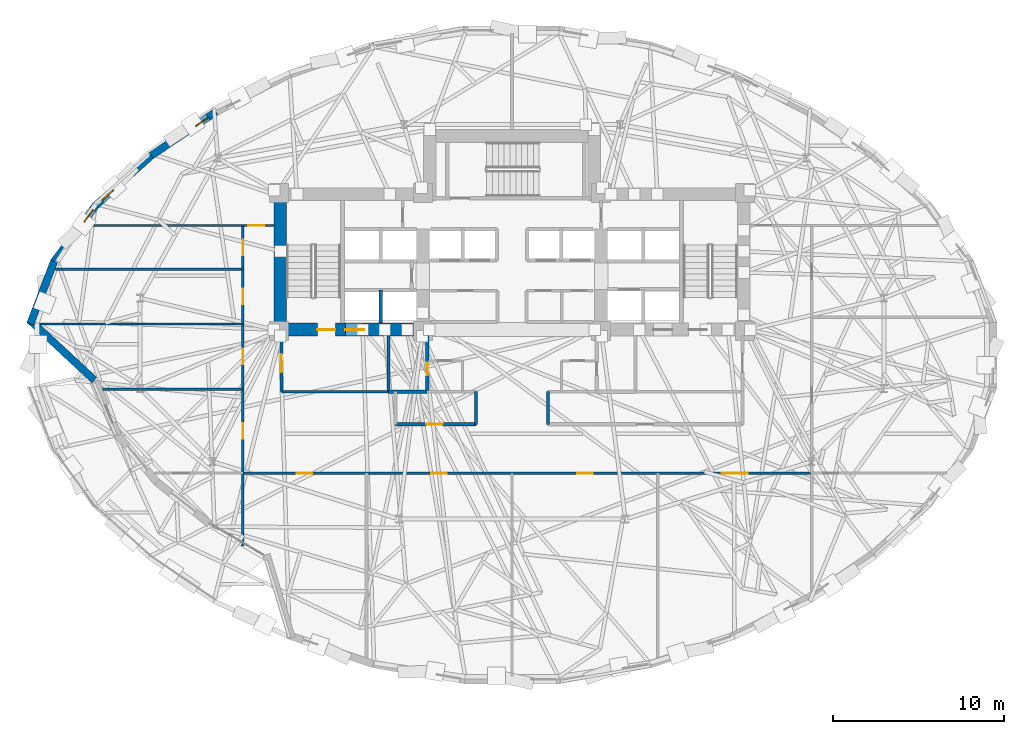
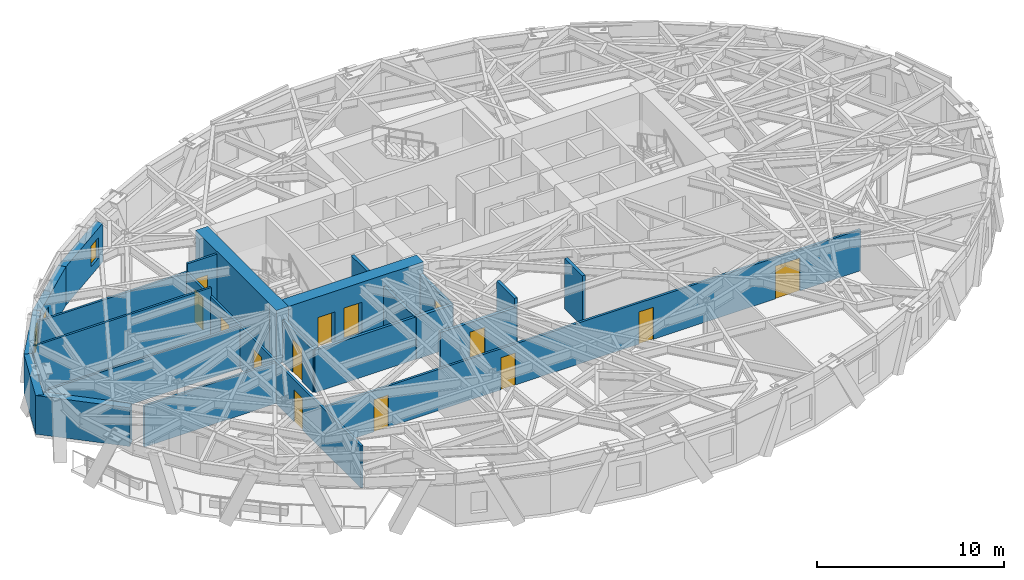
# One storey, part 9 of 17: 23 walls, 14 doors, 3 windows, 17 openings.
"""IFC4 building model written with IfcOpenShell, lengths in metres."""

from ifc_helpers import new_model, si_unit, direction, frame, frame_2d, origin, place, context, subcontext, project, spatial, rectangle, extrude, material, layer, layer_set, type_object, element, fill, save


model = new_model("IFC4")

# Units and contexts
model_context = context("Model", 3, precision=1e-05, world=origin(), true_north=direction((0.0, 1.0)))
body_context = subcontext(model_context, "Body", "Model", "MODEL_VIEW")
ifc_project = project(units=[si_unit("LENGTHUNIT", "METRE"), si_unit("AREAUNIT", "SQUARE_METRE"), si_unit("VOLUMEUNIT", "CUBIC_METRE"), si_unit("PLANEANGLEUNIT", "RADIAN"), si_unit("MASSUNIT", "GRAM", prefix="KILO")], contexts=[model_context])

# Site, building, storey
site_placement = place(None, origin())
site = spatial("IfcSite", under=ifc_project, at=site_placement, CompositionType="ELEMENT")
building_placement = place(site_placement, origin())
building = spatial("IfcBuilding", under=site, at=building_placement, Name="Keldmark Tower", CompositionType="ELEMENT")
storey_placement = place(building_placement, frame((0.0, 0.0, 96.60009765625)))
storey = spatial("IfcBuildingStorey", under=building, at=storey_placement, Name="L25", CompositionType="ELEMENT", Elevation=96.60009765625)

# Wall, openings, doors
ifc_material_1 = material(Name="Acoustic Double-Layer Gypsum Corridor Partition", Category="gypsum")
ifc_layer_1 = layer(ifc_material_1, 0.139892578125)
ifc_layer_set_1 = layer_set([ifc_layer_1], Name="Acoustic Double-Layer Gypsum Corridor Partition")
wall_type_1 = type_object("IfcWallType", Name="Acoustic Corridor Partition 140 mm", PredefinedType="PARTITIONING", material=ifc_layer_set_1)
wall_1_placement = place(storey_placement, frame((-15.699951171875, -6.89990234375, 0.0), z_axis=(0.0, 0.0, 1.0), x_axis=(1.0, 0.0, 0.0)))
wall_1 = element("IfcWall", 1, at=wall_1_placement, inside=storey, type_object=wall_type_1, Name="L25 Acoustic Corridor Partition 140 mm COR-S", PredefinedType="PARTITIONING", context=body_context, shape_type="SweptSolid", body=[
    extrude(rectangle(XDim=33.199951171875, YDim=0.139892578125, at=frame_2d((16.60009765625, 0.0))), origin(), (0.0, 0.0, 1.0), 2.68798828125),
])
opening_1_placement = place(wall_1_placement, frame((3.14990234375, 0.0, 0.0)))
opening_1 = element("IfcOpeningElement", 2, at=opening_1_placement, cuts=wall_1, Name="Opening D-IN090", PredefinedType="OPENING", context=body_context, shape_type="SweptSolid", body=[
    extrude(rectangle(XDim=0.89990234375, YDim=2.10009765625, at=frame_2d((0.449951171875, 1.050048828125))), frame((0.0, 0.079833984375, 0.0), z_axis=(0.0, -1.0, 0.0), x_axis=(1.0, 0.0, 0.0)), (0.0, 0.0, 1.0), 0.159912109375),
])
opening_2_placement = place(wall_1_placement, frame((11.0, 0.0, 0.0)))
opening_2 = element("IfcOpeningElement", 3, at=opening_2_placement, cuts=wall_1, Name="Opening D-IN090", PredefinedType="OPENING", context=body_context, shape_type="SweptSolid", body=[
    extrude(rectangle(XDim=0.89990234375, YDim=2.10009765625, at=frame_2d((0.449951171875, 1.050048828125))), frame((0.0, 0.079833984375, 0.0), z_axis=(0.0, -1.0, 0.0), x_axis=(1.0, 0.0, 0.0)), (0.0, 0.0, 1.0), 0.159912109375),
])
opening_3_placement = place(wall_1_placement, frame((19.5, 0.0, 0.0)))
opening_3 = element("IfcOpeningElement", 4, at=opening_3_placement, cuts=wall_1, Name="Opening D-IN090", PredefinedType="OPENING", context=body_context, shape_type="SweptSolid", body=[
    extrude(rectangle(XDim=0.89990234375, YDim=2.10009765625, at=frame_2d((0.449951171875, 1.050048828125))), frame((0.0, 0.079833984375, 0.0), z_axis=(0.0, -1.0, 0.0), x_axis=(1.0, 0.0, 0.0)), (0.0, 0.0, 1.0), 0.159912109375),
])
opening_4_placement = place(wall_1_placement, frame((27.949951171875, 0.0, 0.0)))
opening_4 = element("IfcOpeningElement", 5, at=opening_4_placement, cuts=wall_1, Name="Opening D-CF150", PredefinedType="OPENING", context=body_context, shape_type="SweptSolid", body=[
    extrude(rectangle(XDim=1.5, YDim=2.14990234375, at=frame_2d((0.75, 1.074951171875))), frame((0.0, 0.079833984375, 0.0), z_axis=(0.0, -1.0, 0.0), x_axis=(1.0, 0.0, 0.0)), (0.0, 0.0, 1.0), 0.159912109375),
])
ifc_material_2 = material(Name="Acoustic Timber and Tempered Glass Double Door", Category="wood")
door_type_1 = type_object("IfcDoorType", Name="Conference Double Door 1500x2150", OperationType="DOUBLE_DOOR_SINGLE_SWING", PredefinedType="DOOR", material=ifc_material_2)
door_1_placement = place(opening_4_placement, origin())
door_1 = element("IfcDoor", 6, at=door_1_placement, inside=storey, type_object=door_type_1, Name="L25 Conference Double Door 1500x2150 D-SR-4-L25", OperationType="DOUBLE_DOOR_SINGLE_SWING", OverallHeight=2.14990234375, OverallWidth=1.5, PredefinedType="DOOR", context=body_context, shape_type="SweptSolid", body=[
    extrude(rectangle(XDim=1.5, YDim=2.14990234375, at=frame_2d((0.75, 1.074951171875))), frame((0.0, 0.02490234375, 0.0), z_axis=(0.0, -1.0, 0.0), x_axis=(1.0, 0.0, 0.0)), (0.0, 0.0, 1.0), 0.050048828125),
])
fill(opening_4, door_1)
ifc_material_3 = material(Name="Stained American White Oak Veneer", Category="wood")
door_type_2 = type_object("IfcDoorType", Name="Interior Door 900x2100", OperationType="NOTDEFINED", PredefinedType="DOOR", material=ifc_material_3)
door_2_placement = place(opening_1_placement, origin())
door_2 = element("IfcDoor", 7, at=door_2_placement, inside=storey, type_object=door_type_2, Name="L25 Interior Door 900x2100 D-SR-1-L25", OperationType="SINGLE_SWING_LEFT", OverallHeight=2.10009765625, OverallWidth=0.89990234375, PredefinedType="DOOR", context=body_context, shape_type="SweptSolid", body=[
    extrude(rectangle(XDim=0.89990234375, YDim=2.10009765625, at=frame_2d((0.449951171875, 1.050048828125))), frame((0.0, 0.02490234375, 0.0), z_axis=(0.0, -1.0, 0.0), x_axis=(1.0, 0.0, 0.0)), (0.0, 0.0, 1.0), 0.050048828125),
])
fill(opening_1, door_2)
door_3_placement = place(opening_2_placement, origin())
door_3 = element("IfcDoor", 8, at=door_3_placement, inside=storey, type_object=door_type_2, Name="L25 Interior Door 900x2100 D-SR-2-L25", OperationType="SINGLE_SWING_RIGHT", OverallHeight=2.10009765625, OverallWidth=0.89990234375, PredefinedType="DOOR", context=body_context, shape_type="SweptSolid", body=[
    extrude(rectangle(XDim=0.89990234375, YDim=2.10009765625, at=frame_2d((0.449951171875, 1.050048828125))), frame((0.0, 0.02490234375, 0.0), z_axis=(0.0, -1.0, 0.0), x_axis=(1.0, 0.0, 0.0)), (0.0, 0.0, 1.0), 0.050048828125),
])
fill(opening_2, door_3)
door_4_placement = place(opening_3_placement, origin())
door_4 = element("IfcDoor", 9, at=door_4_placement, inside=storey, type_object=door_type_2, Name="L25 Interior Door 900x2100 D-SR-3-L25", OperationType="SINGLE_SWING_LEFT", OverallHeight=2.10009765625, OverallWidth=0.89990234375, PredefinedType="DOOR", context=body_context, shape_type="SweptSolid", body=[
    extrude(rectangle(XDim=0.89990234375, YDim=2.10009765625, at=frame_2d((0.449951171875, 1.050048828125))), frame((0.0, 0.02490234375, 0.0), z_axis=(0.0, -1.0, 0.0), x_axis=(1.0, 0.0, 0.0)), (0.0, 0.0, 1.0), 0.050048828125),
])
fill(opening_3, door_4)

wall_2_placement = place(storey_placement, frame((-15.699951171875, -11.162841796875, 0.0), z_axis=(0.0, 0.0, 1.0), x_axis=(0.0, 1.0, 0.0)))
wall_2 = element("IfcWall", 10, at=wall_2_placement, inside=storey, type_object=wall_type_1, Name="L25 Acoustic Corridor Partition 140 mm COR-W", PredefinedType="PARTITIONING", context=body_context, shape_type="SweptSolid", body=[
    extrude(rectangle(XDim=18.712890625, YDim=0.139892578125, at=frame_2d((9.3564453125, 0.0))), origin(), (0.0, 0.0, 1.0), 2.7509765625),
])
opening_5_placement = place(wall_2_placement, frame((6.262939453125, 0.0, 0.0)))
opening_5 = element("IfcOpeningElement", 11, at=opening_5_placement, cuts=wall_2, Name="Opening D-IN090", PredefinedType="OPENING", context=body_context, shape_type="SweptSolid", body=[
    extrude(rectangle(XDim=0.89990234375, YDim=2.10009765625, at=frame_2d((0.449951171875, 1.050048828125))), frame((0.0, 0.079833984375, 0.0), z_axis=(0.0, -1.0, 0.0), x_axis=(1.0, 0.0, 0.0)), (0.0, 0.0, 1.0), 0.159912109375),
])
opening_6_placement = place(wall_2_placement, frame((10.613037109375, 0.0, 0.0)))
opening_6 = element("IfcOpeningElement", 12, at=opening_6_placement, cuts=wall_2, Name="Opening D-IN090", PredefinedType="OPENING", context=body_context, shape_type="SweptSolid", body=[
    extrude(rectangle(XDim=0.89990234375, YDim=2.10009765625, at=frame_2d((0.449951171875, 1.050048828125))), frame((0.0, 0.079833984375, 0.0), z_axis=(0.0, -1.0, 0.0), x_axis=(1.0, 0.0, 0.0)), (0.0, 0.0, 1.0), 0.159912109375),
])
opening_7_placement = place(wall_2_placement, frame((14.113037109375, 0.0, 0.0)))
opening_7 = element("IfcOpeningElement", 13, at=opening_7_placement, cuts=wall_2, Name="Opening D-IN090", PredefinedType="OPENING", context=body_context, shape_type="SweptSolid", body=[
    extrude(rectangle(XDim=0.89990234375, YDim=2.10009765625, at=frame_2d((0.449951171875, 1.050048828125))), frame((0.0, 0.079833984375, 0.0), z_axis=(0.0, -1.0, 0.0), x_axis=(1.0, 0.0, 0.0)), (0.0, 0.0, 1.0), 0.159912109375),
])
opening_8_placement = place(wall_2_placement, frame((16.988037109375, 0.0, 0.0)))
opening_8 = element("IfcOpeningElement", 14, at=opening_8_placement, cuts=wall_2, Name="Opening D-IN090", PredefinedType="OPENING", context=body_context, shape_type="SweptSolid", body=[
    extrude(rectangle(XDim=0.89990234375, YDim=2.10009765625, at=frame_2d((0.449951171875, 1.050048828125))), frame((0.0, 0.079833984375, 0.0), z_axis=(0.0, -1.0, 0.0), x_axis=(1.0, 0.0, 0.0)), (0.0, 0.0, 1.0), 0.159912109375),
])
door_5_placement = place(opening_5_placement, origin())
door_5 = element("IfcDoor", 15, at=door_5_placement, inside=storey, type_object=door_type_2, Name="L25 Interior Door 900x2100 D-WR-1-L25", OperationType="SINGLE_SWING_RIGHT", OverallHeight=2.10009765625, OverallWidth=0.89990234375, PredefinedType="DOOR", context=body_context, shape_type="SweptSolid", body=[
    extrude(rectangle(XDim=0.89990234375, YDim=2.10009765625, at=frame_2d((0.449951171875, 1.050048828125))), frame((0.0, 0.02490234375, 0.0), z_axis=(0.0, -1.0, 0.0), x_axis=(1.0, 0.0, 0.0)), (0.0, 0.0, 1.0), 0.050048828125),
])
fill(opening_5, door_5)
door_6_placement = place(opening_6_placement, origin())
door_6 = element("IfcDoor", 16, at=door_6_placement, inside=storey, type_object=door_type_2, Name="L25 Interior Door 900x2100 D-WR-2-L25", OperationType="SINGLE_SWING_RIGHT", OverallHeight=2.10009765625, OverallWidth=0.89990234375, PredefinedType="DOOR", context=body_context, shape_type="SweptSolid", body=[
    extrude(rectangle(XDim=0.89990234375, YDim=2.10009765625, at=frame_2d((0.449951171875, 1.050048828125))), frame((0.0, 0.02490234375, 0.0), z_axis=(0.0, -1.0, 0.0), x_axis=(1.0, 0.0, 0.0)), (0.0, 0.0, 1.0), 0.050048828125),
])
fill(opening_6, door_6)
door_7_placement = place(opening_7_placement, origin())
door_7 = element("IfcDoor", 17, at=door_7_placement, inside=storey, type_object=door_type_2, Name="L25 Interior Door 900x2100 D-WR-3-L25", OperationType="SINGLE_SWING_LEFT", OverallHeight=2.10009765625, OverallWidth=0.89990234375, PredefinedType="DOOR", context=body_context, shape_type="SweptSolid", body=[
    extrude(rectangle(XDim=0.89990234375, YDim=2.10009765625, at=frame_2d((0.449951171875, 1.050048828125))), frame((0.0, 0.02490234375, 0.0), z_axis=(0.0, -1.0, 0.0), x_axis=(1.0, 0.0, 0.0)), (0.0, 0.0, 1.0), 0.050048828125),
])
fill(opening_7, door_7)
door_8_placement = place(opening_8_placement, origin())
door_8 = element("IfcDoor", 18, at=door_8_placement, inside=storey, type_object=door_type_2, Name="L25 Interior Door 900x2100 D-WR-4-L25", OperationType="SINGLE_SWING_RIGHT", OverallHeight=2.10009765625, OverallWidth=0.89990234375, PredefinedType="DOOR", context=body_context, shape_type="SweptSolid", body=[
    extrude(rectangle(XDim=0.89990234375, YDim=2.10009765625, at=frame_2d((0.449951171875, 1.050048828125))), frame((0.0, 0.02490234375, 0.0), z_axis=(0.0, -1.0, 0.0), x_axis=(1.0, 0.0, 0.0)), (0.0, 0.0, 1.0), 0.050048828125),
])
fill(opening_8, door_8)

# Wall, opening, door
wall_3_placement = place(storey_placement, frame((-15.699951171875, 7.550048828125, 0.0), z_axis=(0.0, 0.0, 1.0), x_axis=(1.0, 0.0, 0.0)))
wall_3 = element("IfcWall", 19, at=wall_3_placement, inside=storey, type_object=wall_type_1, Name="L25 Acoustic Corridor Partition 140 mm COR-WN-CAP", PredefinedType="PARTITIONING", context=body_context, shape_type="SweptSolid", body=[
    extrude(rectangle(XDim=1.800048828125, YDim=0.139892578125, at=frame_2d((0.89990234375, 0.0))), origin(), (0.0, 0.0, 1.0), 3.309814453125),
])
opening_9_placement = place(wall_3_placement, frame((0.320068359375, 0.0, 0.0)))
opening_9 = element("IfcOpeningElement", 20, at=opening_9_placement, cuts=wall_3, Name="Opening D-EX092", PredefinedType="OPENING", context=body_context, shape_type="SweptSolid", body=[
    extrude(rectangle(XDim=0.919921875, YDim=2.14990234375, at=frame_2d((0.4599609375, 1.074951171875))), frame((0.0, 0.079833984375, 0.0), z_axis=(0.0, -1.0, 0.0), x_axis=(1.0, 0.0, 0.0)), (0.0, 0.0, 1.0), 0.159912109375),
])
ifc_material_4 = material(Name="Flush American Ash Executive Office Door", Category="wood")
door_type_3 = type_object("IfcDoorType", Name="Executive Office Door 920x2150", OperationType="NOTDEFINED", PredefinedType="DOOR", material=ifc_material_4)
door_9_placement = place(opening_9_placement, origin())
door_9 = element("IfcDoor", 21, at=door_9_placement, inside=storey, type_object=door_type_3, Name="L25 Executive Office Door 920x2150 D-NRNW-L25", OperationType="SINGLE_SWING_LEFT", OverallHeight=2.14990234375, OverallWidth=0.919921875, PredefinedType="DOOR", context=body_context, shape_type="SweptSolid", body=[
    extrude(rectangle(XDim=0.919921875, YDim=2.14990234375, at=frame_2d((0.4599609375, 1.074951171875))), frame((0.0, 0.02490234375, 0.0), z_axis=(0.0, -1.0, 0.0), x_axis=(1.0, 0.0, 0.0)), (0.0, 0.0, 1.0), 0.050048828125),
])
fill(opening_9, door_9)

ifc_material_5 = material(Name="Heavy Acoustic Plumbing Chase Gypsum Assembly", Category="gypsum")
ifc_layer_2 = layer(ifc_material_5, 0.18994140625)
ifc_layer_set_2 = layer_set([ifc_layer_2], Name="Heavy Acoustic Plumbing Chase Gypsum Assembly")
wall_type_2 = type_object("IfcWallType", Name="Heavy Wet Wall 190 mm", PredefinedType="PLUMBINGWALL", material=ifc_layer_set_2)
wall_4_placement = place(storey_placement, frame((-6.800048828125, -4.050048828125, 0.0), z_axis=(0.0, 0.0, 1.0), x_axis=(1.0, 0.0, 0.0)))
wall_4 = element("IfcWall", 22, at=wall_4_placement, inside=storey, type_object=wall_type_2, Name="L25 Heavy Wet Wall 190 mm SPK-W-S", PredefinedType="PLUMBINGWALL", context=body_context, shape_type="SweptSolid", body=[
    extrude(rectangle(XDim=4.699951171875, YDim=0.18994140625, at=frame_2d((2.35009765625, 0.0))), origin(), (0.0, 0.0, 1.0), 2.762939453125),
])
opening_10_placement = place(wall_4_placement, frame((1.800048828125, 0.0, 0.0)))
opening_10 = element("IfcOpeningElement", 23, at=opening_10_placement, cuts=wall_4, Name="Opening D-AWC95", PredefinedType="OPENING", context=body_context, shape_type="SweptSolid", body=[
    extrude(rectangle(XDim=0.949951171875, YDim=2.14990234375, at=frame_2d((0.47509765625, 1.074951171875))), frame((0.0, 0.10498046875, 0.0), z_axis=(0.0, -1.0, 0.0), x_axis=(1.0, 0.0, 0.0)), (0.0, 0.0, 1.0), 0.2099609375),
])
ifc_material_6 = material(Name="Painted Solid-Core Architectural Wood", Category="wood")
door_type_4 = type_object("IfcDoorType", Name="Accessible WC Door 950x2150", OperationType="NOTDEFINED", PredefinedType="DOOR", material=ifc_material_6)
door_10_placement = place(opening_10_placement, origin())
door_10 = element("IfcDoor", 24, at=door_10_placement, inside=storey, type_object=door_type_4, Name="L25 Accessible WC Door 950x2150 D-SPKW1-L25", OperationType="SINGLE_SWING_LEFT", OverallHeight=2.14990234375, OverallWidth=0.949951171875, PredefinedType="DOOR", context=body_context, shape_type="SweptSolid", body=[
    extrude(rectangle(XDim=0.949951171875, YDim=2.14990234375, at=frame_2d((0.47509765625, 1.074951171875))), frame((0.0, 0.02490234375, 0.0), z_axis=(0.0, -1.0, 0.0), x_axis=(1.0, 0.0, 0.0)), (0.0, 0.0, 1.0), 0.050048828125),
])
fill(opening_10, door_10)

# Walls
for number, where, z_axis, x_axis, name in (
    (25, (-2.10009765625, -4.050048828125, 0.0), (0.0, 0.0, 1.0), (0.0, 1.0, 0.0), "L25 Heavy Wet Wall 190 mm SPK-W-E"),
    (26, (2.10009765625, -4.050048828125, 0.0), (0.0, 0.0, 1.0), (0.0, 1.0, 0.0), "L25 Heavy Wet Wall 190 mm SPK-E-W"),
):
    element("IfcWall", number, at=place(storey_placement, frame(where, z_axis=z_axis, x_axis=x_axis)), inside=storey, type_object=wall_type_2, Name=name, PredefinedType="PLUMBINGWALL", context=body_context, shape_type="SweptSolid", body=[
        extrude(rectangle(XDim=1.900146484375, YDim=0.18994140625, at=frame_2d((0.9501953125, 0.0))), origin(), (0.0, 0.0, 1.0), 3.309814453125),
    ])
ifc_material_7 = material(Name="Acoustic Gypsum Board Interior Partition", Category="gypsum")
ifc_layer_3 = layer(ifc_material_7, 0.1298828125)
ifc_layer_set_3 = layer_set([ifc_layer_3], Name="Acoustic Gypsum Board Interior Partition")
wall_type_3 = type_object("IfcWallType", Name="Interior Partition 130 mm", PredefinedType="PARTITIONING", material=ifc_layer_set_3)
wall_5_placement = place(storey_placement, frame((-24.87890625, 7.550048828125, 0.0), z_axis=(0.0, 0.0, 1.0), x_axis=(1.0, 0.0, 0.0)))
element("IfcWall", 27, at=wall_5_placement, inside=storey, type_object=wall_type_3, Name="L25 Interior Partition 130 mm W-CAP-N", PredefinedType="PARTITIONING", context=body_context, shape_type="SweptSolid", body=[
    extrude(rectangle(XDim=9.178955078125, YDim=0.1298828125, at=frame_2d((4.58935546875, 0.0))), origin(), (0.0, 0.0, 1.0), 2.762939453125),
])
wall_6_placement = place(storey_placement, frame((-23.8828125, -2.0, 0.0), z_axis=(0.0, 0.0, 1.0), x_axis=(1.0, 0.0, 0.0)))
element("IfcWall", 28, at=wall_6_placement, inside=storey, type_object=wall_type_3, Name="L25 Interior Partition 130 mm W-DIV-1", PredefinedType="PARTITIONING", context=body_context, shape_type="SweptSolid", body=[
    extrude(rectangle(XDim=8.182861328125, YDim=0.1298828125, at=frame_2d((4.09130859375, 0.0))), origin(), (0.0, 0.0, 1.0), 2.68798828125),
])
wall_7_placement = place(storey_placement, frame((-27.557861328125, 1.800048828125, 0.0), z_axis=(0.0, 0.0, 1.0), x_axis=(1.0, 0.0, 0.0)))
element("IfcWall", 29, at=wall_7_placement, inside=storey, type_object=wall_type_3, Name="L25 Interior Partition 130 mm W-DIV-2", PredefinedType="PARTITIONING", context=body_context, shape_type="SweptSolid", body=[
    extrude(rectangle(XDim=11.85791015625, YDim=0.1298828125, at=frame_2d((5.928955078125, 0.0))), origin(), (0.0, 0.0, 1.0), 2.7509765625),
])
wall_8_placement = place(storey_placement, frame((-26.65087890625, 5.0, 0.0), z_axis=(0.0, 0.0, 1.0), x_axis=(1.0, 0.0, 0.0)))
element("IfcWall", 30, at=wall_8_placement, inside=storey, type_object=wall_type_3, Name="L25 Interior Partition 130 mm W-DIV-3", PredefinedType="PARTITIONING", context=body_context, shape_type="SweptSolid", body=[
    extrude(rectangle(XDim=10.950927734375, YDim=0.1298828125, at=frame_2d((5.4755859375, 0.0))), origin(), (0.0, 0.0, 1.0), 3.309814453125),
])
ifc_material_8 = material(Name="Concrete C70/85", Category="concrete")
ifc_layer_4 = layer(ifc_material_8, 0.75)
ifc_layer_set_4 = layer_set([ifc_layer_4], Name="Concrete C70/85")
wall_type_4 = type_object("IfcWallType", Name="Low-Mid Core Shear Wall 750 mm", PredefinedType="SHEAR", material=ifc_layer_set_4)
wall_9_placement = place(storey_placement, frame((-13.52490234375, 1.10009765625, 0.0), z_axis=(0.0, 0.0, 1.0), x_axis=(0.0, 1.0, 0.0)))
element("IfcWall", 31, at=wall_9_placement, inside=storey, type_object=wall_type_4, Name="L25 West Core Outer Shear Wall", PredefinedType="SHEAR", context=body_context, shape_type="SweptSolid", body=[
    extrude(rectangle(XDim=8.64990234375, YDim=0.75, at=frame_2d((4.324951171875, 0.0))), origin(), (0.0, 0.0, 1.0), 3.5),
])

# Wall, openings, doors
wall_10_placement = place(storey_placement, frame((-4.824951171875, 1.47509765625, 0.0), z_axis=(0.0, 0.0, 1.0), x_axis=(-1.0, 0.0, 0.0)))
wall_10 = element("IfcWall", 32, at=wall_10_placement, inside=storey, type_object=wall_type_4, Name="L25 West Core South Shear Wall", PredefinedType="SHEAR", context=body_context, shape_type="SweptSolid", body=[
    extrude(rectangle(XDim=9.074951171875, YDim=0.75, at=frame_2d((4.53759765625, 0.0))), origin(), (0.0, 0.0, 1.0), 3.5),
])
opening_11_placement = place(wall_10_placement, frame((5.47509765625, 0.0, 0.0)))
opening_11 = element("IfcOpeningElement", 33, at=opening_11_placement, cuts=wall_10, Name="Opening D-ST105", PredefinedType="OPENING", context=body_context, shape_type="SweptSolid", body=[
    extrude(rectangle(XDim=1.050048828125, YDim=2.14990234375, at=frame_2d((0.52490234375, 1.074951171875))), frame((0.0, 0.385009765625, 0.0), z_axis=(0.0, -1.0, 0.0), x_axis=(1.0, 0.0, 0.0)), (0.0, 0.0, 1.0), 0.77001953125),
])
opening_12_placement = place(wall_10_placement, frame((3.804931640625, 0.0, 0.0)))
opening_12 = element("IfcOpeningElement", 34, at=opening_12_placement, cuts=wall_10, Name="Opening LD-110", PredefinedType="OPENING", context=body_context, shape_type="SweptSolid", body=[
    extrude(rectangle(XDim=1.10009765625, YDim=2.199951171875, at=frame_2d((0.550048828125, 1.10009765625))), frame((0.0, 0.385009765625, 0.0), z_axis=(0.0, -1.0, 0.0), x_axis=(1.0, 0.0, 0.0)), (0.0, 0.0, 1.0), 0.77001953125),
])
ifc_material_9 = material(Name="Brushed Bronze Hoistway Sliding Leaf", Category="metal")
door_type_5 = type_object("IfcDoorType", Name="Lift Landing Sliding Door 1100x2200", OperationType="SLIDING_TO_LEFT", PredefinedType="DOOR", material=ifc_material_9)
door_11_placement = place(opening_12_placement, origin())
door_11 = element("IfcDoor", 35, at=door_11_placement, inside=storey, type_object=door_type_5, Name="L25 Lift Landing Sliding Door 1100x2200 LD-EL-FS1-L25", OperationType="SLIDING_TO_LEFT", OverallHeight=2.199951171875, OverallWidth=1.10009765625, PredefinedType="DOOR", context=body_context, shape_type="SweptSolid", body=[
    extrude(rectangle(XDim=1.10009765625, YDim=2.199951171875, at=frame_2d((0.550048828125, 1.10009765625))), frame((0.0, 0.02490234375, 0.0), z_axis=(0.0, -1.0, 0.0), x_axis=(1.0, 0.0, 0.0)), (0.0, 0.0, 1.0), 0.050048828125),
])
fill(opening_12, door_11)
ifc_material_10 = material(Name="Hollow Metal Fire-Rated Door Assembly", Category="metal")
door_type_6 = type_object("IfcDoorType", Name="Stair Fire Door 1050x2150", OperationType="NOTDEFINED", PredefinedType="DOOR", material=ifc_material_10)
door_12_placement = place(opening_11_placement, origin())
door_12 = element("IfcDoor", 36, at=door_12_placement, inside=storey, type_object=door_type_6, Name="L25 Stair Fire Door 1050x2150 D-ST1-L25", OperationType="SINGLE_SWING_RIGHT", OverallHeight=2.14990234375, OverallWidth=1.050048828125, PredefinedType="DOOR", context=body_context, shape_type="SweptSolid", body=[
    extrude(rectangle(XDim=1.050048828125, YDim=2.14990234375, at=frame_2d((0.52490234375, 1.074951171875))), frame((0.0, 0.02490234375, 0.0), z_axis=(0.0, -1.0, 0.0), x_axis=(1.0, 0.0, 0.0)), (0.0, 0.0, 1.0), 0.050048828125),
])
fill(opening_11, door_12)

# Wall
ifc_material_11 = material(Name="Type X Fire-Rated Gypsum Partition Assembly", Category="gypsum")
ifc_layer_5 = layer(ifc_material_11, 0.1650390625)
ifc_layer_set_5 = layer_set([ifc_layer_5], Name="Type X Fire-Rated Gypsum Partition Assembly")
wall_type_5 = type_object("IfcWallType", Name="Rated Partition 165 mm", PredefinedType="PARTITIONING", material=ifc_layer_set_5)
wall_11_placement = place(storey_placement, frame((-13.449951171875, -2.14990234375, 0.0), z_axis=(0.0, 0.0, 1.0), x_axis=(1.0, 0.0, 0.0)))
element("IfcWall", 37, at=wall_11_placement, inside=storey, type_object=wall_type_5, Name="L25 Rated Partition 165 mm FSAE-W-S", PredefinedType="PARTITIONING", context=body_context, shape_type="SweptSolid", body=[
    extrude(rectangle(XDim=6.25, YDim=0.1650390625, at=frame_2d((3.125, 0.0))), origin(), (0.0, 0.0, 1.0), 2.762939453125),
])

# Wall, opening, door
wall_12_placement = place(storey_placement, frame((-13.449951171875, -2.14990234375, 0.0), z_axis=(0.0, 0.0, 1.0), x_axis=(0.0, 1.0, 0.0)))
wall_12 = element("IfcWall", 38, at=wall_12_placement, inside=storey, type_object=wall_type_5, Name="L25 Rated Partition 165 mm FSAE-W-W", PredefinedType="PARTITIONING", context=body_context, shape_type="SweptSolid", body=[
    extrude(rectangle(XDim=3.2998046875, YDim=0.1650390625, at=frame_2d((1.64990234375, 0.0))), origin(), (0.0, 0.0, 1.0), 2.762939453125),
])
opening_13_placement = place(wall_12_placement, frame((1.14990234375, 0.0, 0.0)))
opening_13 = element("IfcOpeningElement", 39, at=opening_13_placement, cuts=wall_12, Name="Opening D-FL105", PredefinedType="OPENING", context=body_context, shape_type="SweptSolid", body=[
    extrude(rectangle(XDim=1.050048828125, YDim=2.14990234375, at=frame_2d((0.52490234375, 1.074951171875))), frame((0.0, 0.092529296875, 0.0), z_axis=(0.0, -1.0, 0.0), x_axis=(1.0, 0.0, 0.0)), (0.0, 0.0, 1.0), 0.18505859375),
])
ifc_material_12 = material(Name="Fire-Rated Mineral-Core Door and Vision Lite", Category="metal")
door_type_7 = type_object("IfcDoorType", Name="Fire Lobby Door 1050x2150", OperationType="NOTDEFINED", PredefinedType="DOOR", material=ifc_material_12)
door_13_placement = place(opening_13_placement, origin())
door_13 = element("IfcDoor", 40, at=door_13_placement, inside=storey, type_object=door_type_7, Name="L25 Fire Lobby Door 1050x2150 D-FSAEW-OUT-L25", OperationType="SINGLE_SWING_LEFT", OverallHeight=2.14990234375, OverallWidth=1.050048828125, PredefinedType="DOOR", context=body_context, shape_type="SweptSolid", body=[
    extrude(rectangle(XDim=1.050048828125, YDim=2.14990234375, at=frame_2d((0.52490234375, 1.074951171875))), frame((0.0, 0.02490234375, 0.0), z_axis=(0.0, -1.0, 0.0), x_axis=(1.0, 0.0, 0.0)), (0.0, 0.0, 1.0), 0.050048828125),
])
fill(opening_13, door_13)

# Walls
wall_13_placement = place(storey_placement, frame((-7.199951171875, -2.14990234375, 0.0), z_axis=(0.0, 0.0, 1.0), x_axis=(0.0, 1.0, 0.0)))
element("IfcWall", 41, at=wall_13_placement, inside=storey, type_object=wall_type_5, Name="L25 Rated Partition 165 mm FSAE-W-E", PredefinedType="PARTITIONING", context=body_context, shape_type="SweptSolid", body=[
    extrude(rectangle(XDim=3.2998046875, YDim=0.1650390625, at=frame_2d((1.64990234375, 0.0))), origin(), (0.0, 0.0, 1.0), 2.762939453125),
])
ifc_material_13 = material(Name="Fire-Resistant Type X Gypsum Shaftliner Coreboard", Category="gypsum")
ifc_layer_6 = layer(ifc_material_13, 0.199951171875)
ifc_layer_set_6 = layer_set([ifc_layer_6], Name="Fire-Resistant Type X Gypsum Shaftliner Coreboard")
wall_type_6 = type_object("IfcWallType", Name="Shaft Wall 200 mm", PredefinedType="SOLIDWALL", material=ifc_layer_set_6)
wall_14_placement = place(storey_placement, frame((-7.199951171875, -2.14990234375, 0.0), z_axis=(0.0, 0.0, 1.0), x_axis=(1.0, 0.0, 0.0)))
element("IfcWall", 42, at=wall_14_placement, inside=storey, type_object=wall_type_6, Name="L25 Shaft Wall 200 mm RIS-SW-S", PredefinedType="SOLIDWALL", context=body_context, shape_type="SweptSolid", body=[
    extrude(rectangle(XDim=2.25, YDim=0.199951171875, at=frame_2d((1.125, 0.0))), origin(), (0.0, 0.0, 1.0), 2.762939453125),
])

# Wall, opening, door
wall_15_placement = place(storey_placement, frame((-4.949951171875, -2.14990234375, 0.0), z_axis=(0.0, 0.0, 1.0), x_axis=(0.0, 1.0, 0.0)))
wall_15 = element("IfcWall", 43, at=wall_15_placement, inside=storey, type_object=wall_type_6, Name="L25 Shaft Wall 200 mm RIS-SW-E", PredefinedType="SOLIDWALL", context=body_context, shape_type="SweptSolid", body=[
    extrude(rectangle(XDim=3.2998046875, YDim=0.199951171875, at=frame_2d((1.64990234375, 0.0))), origin(), (0.0, 0.0, 1.0), 2.762939453125),
])
opening_14_placement = place(wall_15_placement, frame((0.949951171875, 0.0, 0.0)))
opening_14 = element("IfcOpeningElement", 44, at=opening_14_placement, cuts=wall_15, Name="Opening D-RS075", PredefinedType="OPENING", context=body_context, shape_type="SweptSolid", body=[
    extrude(rectangle(XDim=0.75, YDim=2.10009765625, at=frame_2d((0.375, 1.050048828125))), frame((0.0, 0.10986328125, 0.0), z_axis=(0.0, -1.0, 0.0), x_axis=(1.0, 0.0, 0.0)), (0.0, 0.0, 1.0), 0.219970703125),
])
ifc_material_14 = material(Name="Galvanized Fire-Rated Access Leaf", Category="metal")
door_type_8 = type_object("IfcDoorType", Name="Riser Access Door 750x2100", OperationType="NOTDEFINED", PredefinedType="DOOR", material=ifc_material_14)
door_14_placement = place(opening_14_placement, origin())
door_14 = element("IfcDoor", 45, at=door_14_placement, inside=storey, type_object=door_type_8, Name="L25 Riser Access Door 750x2100 D-RISSW-L25", OperationType="SINGLE_SWING_RIGHT", OverallHeight=2.10009765625, OverallWidth=0.75, PredefinedType="DOOR", context=body_context, shape_type="SweptSolid", body=[
    extrude(rectangle(XDim=0.75, YDim=2.10009765625, at=frame_2d((0.375, 1.050048828125))), frame((0.0, 0.02490234375, 0.0), z_axis=(0.0, -1.0, 0.0), x_axis=(1.0, 0.0, 0.0)), (0.0, 0.0, 1.0), 0.050048828125),
])
fill(opening_14, door_14)

# Wall
wall_16_placement = place(storey_placement, frame((-7.64990234375, 1.85009765625, 0.0), z_axis=(0.0, 0.0, 1.0), x_axis=(0.0, 1.0, 0.0)))
element("IfcWall", 46, at=wall_16_placement, inside=storey, type_object=wall_type_6, Name="L25 Shaft Wall 200 mm HW-W-M", PredefinedType="SOLIDWALL", context=body_context, shape_type="SweptSolid", body=[
    extrude(rectangle(XDim=1.929931640625, YDim=0.199951171875, at=frame_2d((0.96484375, 0.0))), origin(), (0.0, 0.0, 1.0), 3.309814453125),
])

# Wall, opening, window
ifc_material_15 = material(Name="Ironspot Manganese Brick and Kasota Buff Limestone Spandrel Assembly", Category="masonry")
ifc_layer_7 = layer(ifc_material_15, 0.43994140625)
ifc_layer_set_7 = layer_set([ifc_layer_7], Name="Ironspot Manganese Brick and Kasota Buff Limestone Spandrel Assembly")
wall_type_7 = type_object("IfcWallType", Name="Tower Brick Pier and Spandrel Wall 440 mm", PredefinedType="STANDARD", material=ifc_layer_set_7)
wall_17_placement = place(storey_placement, frame((-21.078125, 11.612548828125, 0.0), z_axis=(0.0, 0.0, 1.0), x_axis=(0.827740300315, 0.561111392893, 0.0)))
wall_17 = element("IfcWall", 47, at=wall_17_placement, inside=storey, type_object=wall_type_7, Name="L25 Exterior Brick and Spandrel Wall 12", PredefinedType="STANDARD", context=body_context, shape_type="SweptSolid", body=[
    extrude(rectangle(XDim=4.593017578125, YDim=0.43994140625, at=frame_2d((2.29638671875, 0.0))), origin(), (0.0, 0.0, 1.0), 2.52783203125),
])
opening_15_placement = place(wall_17_placement, frame((3.143798828125, 0.0, 0.580078125)))
opening_15 = element("IfcOpeningElement", 48, at=opening_15_placement, cuts=wall_17, Name="Opening W-09", PredefinedType="OPENING", context=body_context, shape_type="SweptSolid", body=[
    extrude(rectangle(XDim=0.89990234375, YDim=1.35009765625, at=frame_2d((0.449951171875, 0.675048828125))), frame((0.0, 0.22998046875, 0.0), z_axis=(0.0, -1.0, 0.0), x_axis=(1.0, 0.0, 0.0)), (0.0, 0.0, 1.0), 0.4599609375),
])
ifc_material_16 = material(Name="Thermally Broken Anodized Aluminum and Triple Low-E Argon Glazing", Category="aluminium")
window_type = type_object("IfcWindowType", Name="Corner Pier Deep-Set Window 900x1350", PartitioningType="SINGLE_PANEL", PredefinedType="WINDOW", material=ifc_material_16)
window_1_placement = place(opening_15_placement, origin())
window_1 = element("IfcWindow", 49, at=window_1_placement, inside=storey, type_object=window_type, Name="L25 Deep-Set Window 12", OverallHeight=1.35009765625, OverallWidth=0.89990234375, PartitioningType="SINGLE_PANEL", PredefinedType="WINDOW", context=body_context, shape_type="SweptSolid", body=[
    extrude(rectangle(XDim=0.89990234375, YDim=1.35009765625, at=frame_2d((0.449951171875, 0.675048828125))), frame((0.0, -0.010009765625, 0.0), z_axis=(0.0, -1.0, 0.0), x_axis=(1.0, 0.0, 0.0)), (0.0, 0.0, 1.0), 0.06005859375),
])
fill(opening_15, window_1)

wall_18_placement = place(storey_placement, frame((-24.31689453125, 8.7001953125, 0.0), z_axis=(0.0, 0.0, 1.0), x_axis=(0.743897322515, 0.668293927516, 0.0)))
wall_18 = element("IfcWall", 50, at=wall_18_placement, inside=storey, type_object=wall_type_7, Name="L25 Exterior Brick and Spandrel Wall 13", PredefinedType="STANDARD", context=body_context, shape_type="SweptSolid", body=[
    extrude(rectangle(XDim=4.38525390625, YDim=0.43994140625, at=frame_2d((2.192626953125, 0.0))), origin(), (0.0, 0.0, 1.0), 2.52783203125),
])
opening_16_placement = place(wall_18_placement, frame((0.49853515625, 0.0, 0.580078125)))
opening_16 = element("IfcOpeningElement", 51, at=opening_16_placement, cuts=wall_18, Name="Opening W-09", PredefinedType="OPENING", context=body_context, shape_type="SweptSolid", body=[
    extrude(rectangle(XDim=0.89990234375, YDim=1.35009765625, at=frame_2d((0.449951171875, 0.675048828125))), frame((0.0, 0.22998046875, 0.0), z_axis=(0.0, -1.0, 0.0), x_axis=(1.0, 0.0, 0.0)), (0.0, 0.0, 1.0), 0.4599609375),
])
window_2_placement = place(opening_16_placement, origin())
window_2 = element("IfcWindow", 52, at=window_2_placement, inside=storey, type_object=window_type, Name="L25 Deep-Set Window 13", OverallHeight=1.35009765625, OverallWidth=0.89990234375, PartitioningType="SINGLE_PANEL", PredefinedType="WINDOW", context=body_context, shape_type="SweptSolid", body=[
    extrude(rectangle(XDim=0.89990234375, YDim=1.35009765625, at=frame_2d((0.449951171875, 0.675048828125))), frame((0.0, -0.010009765625, 0.0), z_axis=(0.0, -1.0, 0.0), x_axis=(1.0, 0.0, 0.0)), (0.0, 0.0, 1.0), 0.06005859375),
])
fill(opening_16, window_2)

wall_19_placement = place(storey_placement, frame((-26.749267578125, 5.40576171875, 0.0), z_axis=(0.0, 0.0, 1.0), x_axis=(0.594853677057, 0.803834002075, 0.0)))
wall_19 = element("IfcWall", 53, at=wall_19_placement, inside=storey, type_object=wall_type_7, Name="L25 Exterior Brick and Spandrel Wall 14", PredefinedType="STANDARD", context=body_context, shape_type="SweptSolid", body=[
    extrude(rectangle(XDim=4.13916015625, YDim=0.43994140625, at=frame_2d((2.069580078125, 0.0))), origin(), (0.0, 0.0, 1.0), 2.52783203125),
])
opening_17_placement = place(wall_19_placement, frame((2.939453125, 0.0, 0.580078125)))
opening_17 = element("IfcOpeningElement", 54, at=opening_17_placement, cuts=wall_19, Name="Opening W-09", PredefinedType="OPENING", context=body_context, shape_type="SweptSolid", body=[
    extrude(rectangle(XDim=0.89990234375, YDim=1.35009765625, at=frame_2d((0.449951171875, 0.675048828125))), frame((0.0, 0.22998046875, 0.0), z_axis=(0.0, -1.0, 0.0), x_axis=(1.0, 0.0, 0.0)), (0.0, 0.0, 1.0), 0.4599609375),
])
window_3_placement = place(opening_17_placement, origin())
window_3 = element("IfcWindow", 55, at=window_3_placement, inside=storey, type_object=window_type, Name="L25 Deep-Set Window 14", OverallHeight=1.35009765625, OverallWidth=0.89990234375, PartitioningType="SINGLE_PANEL", PredefinedType="WINDOW", context=body_context, shape_type="SweptSolid", body=[
    extrude(rectangle(XDim=0.89990234375, YDim=1.35009765625, at=frame_2d((0.449951171875, 0.675048828125))), frame((0.0, -0.010009765625, 0.0), z_axis=(0.0, -1.0, 0.0), x_axis=(1.0, 0.0, 0.0)), (0.0, 0.0, 1.0), 0.06005859375),
])
fill(opening_17, window_3)

# Walls
wall_20_placement = place(storey_placement, frame((-28.107177734375, 1.81201171875, 0.0), z_axis=(0.0, 0.0, 1.0), x_axis=(0.355453982488, 0.93469378212, 0.0)))
element("IfcWall", 56, at=wall_20_placement, inside=storey, type_object=wall_type_7, Name="L25 Exterior Brick and Spandrel Wall 15", PredefinedType="STANDARD", context=body_context, shape_type="SweptSolid", body=[
    extrude(rectangle(XDim=3.9013671875, YDim=0.43994140625, at=frame_2d((1.95068359375, 0.0))), origin(), (0.0, 0.0, 1.0), 2.52783203125),
])
wall_21_placement = place(storey_placement, frame((-24.37109375, -1.47607421875, 0.0), z_axis=(0.0, 0.0, 1.0), x_axis=(-0.732150106649, 0.681143319231, 0.0)))
element("IfcWall", 57, at=wall_21_placement, inside=storey, type_object=wall_type_7, Name="L25 Exterior Brick and Spandrel Wall 16", PredefinedType="STANDARD", context=body_context, shape_type="SweptSolid", body=[
    extrude(rectangle(XDim=5.178955078125, YDim=0.43994140625, at=frame_2d((2.58935546875, 0.0))), origin(), (0.0, 0.0, 1.0), 2.52783203125),
])

save(model, "model.ifc")
